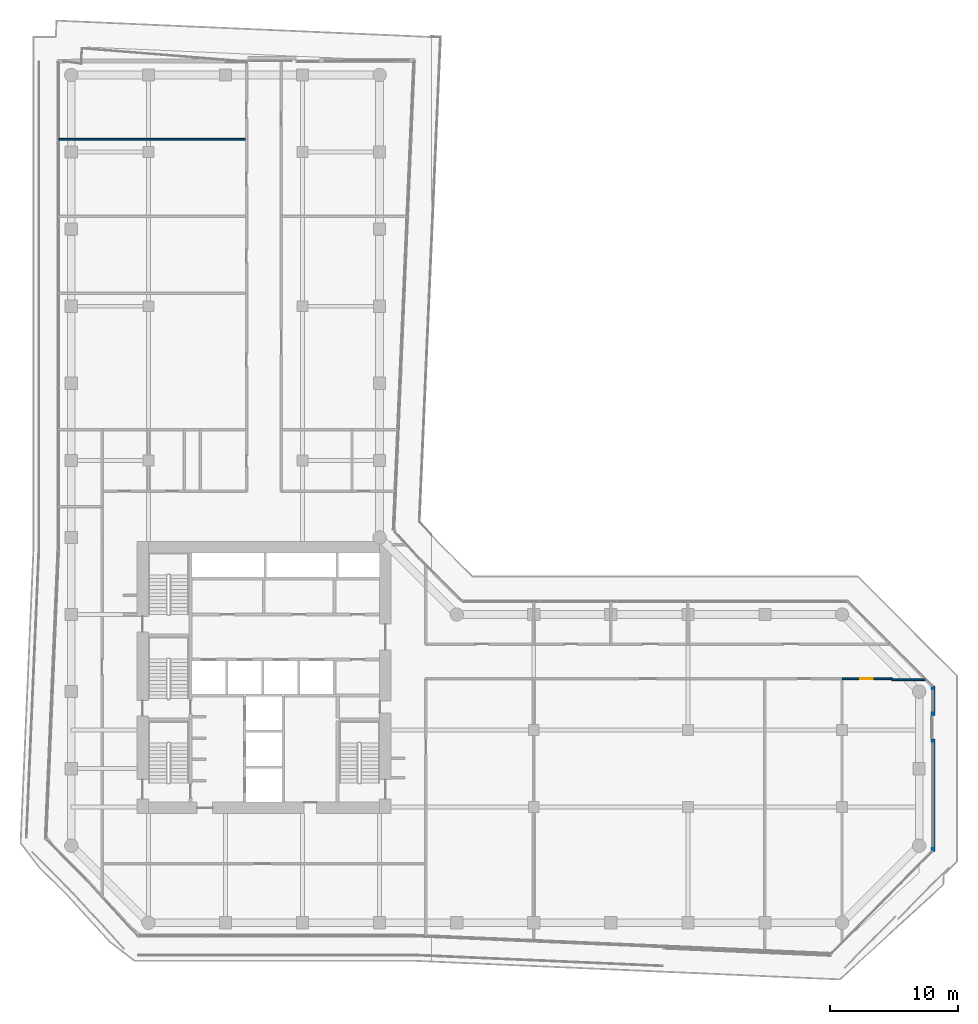
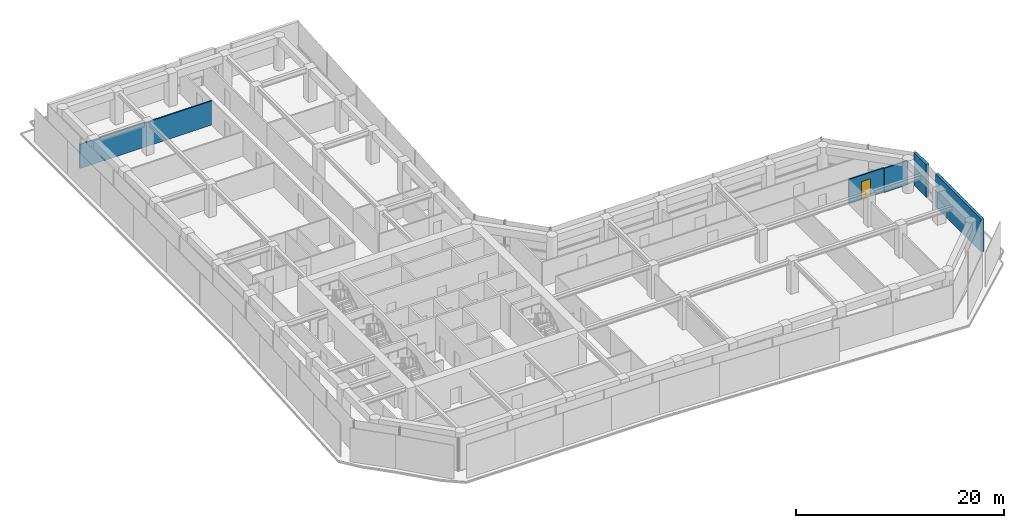
# One storey, part 26 of 29: 5 walls, 1 door, 1 opening.
"""IFC4 building model written with IfcOpenShell, lengths in metres."""

from ifc_helpers import new_model, si_unit, direction, frame, frame_2d, origin, place, context, subcontext, project, spatial, rectangle, extrude, material, layer, layer_set, type_object, element, fill, save


model = new_model("IFC4")

# Units and contexts
model_context = context("Model", 3, precision=1e-05, world=origin(), true_north=direction((0.0, 1.0)))
body_context = subcontext(model_context, "Body", "Model", "MODEL_VIEW")
ifc_project = project(units=[si_unit("LENGTHUNIT", "METRE"), si_unit("AREAUNIT", "SQUARE_METRE"), si_unit("VOLUMEUNIT", "CUBIC_METRE"), si_unit("PLANEANGLEUNIT", "RADIAN"), si_unit("MASSUNIT", "GRAM", prefix="KILO")], contexts=[model_context])

# Site, building, storey
site_placement = place(None, origin())
site = spatial("IfcSite", under=ifc_project, at=site_placement, CompositionType="ELEMENT")
building_placement = place(site_placement, origin())
building = spatial("IfcBuilding", under=site, at=building_placement, Name="Welwitschia Terrace Campus", CompositionType="ELEMENT")
storey_placement = place(building_placement, frame((0.0, 0.0, 41.60009765625)))
storey = spatial("IfcBuildingStorey", under=building, at=storey_placement, Name="L09", CompositionType="ELEMENT", Elevation=41.60009765625)

# Walls
ifc_material_1 = material(Name="Gypsum board on steel studs", Category="steel")
ifc_layer_1 = layer(ifc_material_1, 0.14990234375)
ifc_layer_set_1 = layer_set([ifc_layer_1], Name="Gypsum board on steel studs")
wall_type_1 = type_object("IfcWallType", Name="Corridor partition 150 EI 30", PredefinedType="PARTITIONING", material=ifc_layer_set_1)
wall_1_placement = place(storey_placement, frame((-1.010009765625, 57.0, 0.0), z_axis=(0.0, 0.0, 1.0), x_axis=(1.0, 0.0, 0.0)))
element("IfcWall", 1, at=wall_1_placement, inside=storey, type_object=wall_type_1, Name="Partition", PredefinedType="PARTITIONING", context=body_context, shape_type="SweptSolid", body=[
    extrude(rectangle(XDim=14.659912109375, YDim=0.14990234375, at=frame_2d((7.330078125, 0.0))), origin(), (0.0, 0.0, 1.0), 2.829833984375),
])
wall_2_placement = place(storey_placement, frame((63.8701171875, 14.919921875, 0.0), z_axis=(0.0, 0.0, 1.0), x_axis=(1.0, 0.0, 0.0)))
element("IfcWall", 2, at=wall_2_placement, inside=storey, type_object=wall_type_1, Name="Partition", PredefinedType="PARTITIONING", context=body_context, shape_type="SweptSolid", body=[
    extrude(rectangle(XDim=2.621337890625, YDim=0.14990234375, at=frame_2d((1.310546875, 0.0))), origin(), (0.0, 0.0, 1.0), 2.829833984375),
])

# Wall, opening, door
wall_3_placement = place(storey_placement, frame((63.89990234375, 15.0, 0.0), z_axis=(0.0, 0.0, 1.0), x_axis=(-1.0, 0.0, 0.0)))
wall_3 = element("IfcWall", 3, at=wall_3_placement, inside=storey, type_object=wall_type_1, Name="Partition", PredefinedType="PARTITIONING", context=body_context, shape_type="SweptSolid", body=[
    extrude(rectangle(XDim=3.89990234375, YDim=0.14990234375, at=frame_2d((1.949951171875, 0.0))), origin(), (0.0, 0.0, 1.0), 2.829833984375),
])
opening_placement = place(wall_3_placement, frame((1.5, 0.0, 0.0)))
opening = element("IfcOpeningElement", 4, at=opening_placement, cuts=wall_3, Name="Opening DI10", PredefinedType="OPENING", context=body_context, shape_type="SweptSolid", body=[
    extrude(rectangle(XDim=1.0, YDim=2.10009765625, at=frame_2d((0.5, 1.050048828125))), frame((0.0, 0.0849609375, 0.0), z_axis=(0.0, -1.0, 0.0), x_axis=(1.0, 0.0, 0.0)), (0.0, 0.0, 1.0), 0.169921875),
])
ifc_material_2 = material(Name="Timber veneered door", Category="wood")
door_type = type_object("IfcDoorType", Name="Interior door DI10", OperationType="NOTDEFINED", PredefinedType="DOOR", material=ifc_material_2)
door_placement = place(opening_placement, origin())
door = element("IfcDoor", 5, at=door_placement, inside=storey, type_object=door_type, Name="Door L09 228", OperationType="SINGLE_SWING_LEFT", OverallHeight=2.10009765625, OverallWidth=1.0, PredefinedType="DOOR", context=body_context, shape_type="SweptSolid", body=[
    extrude(rectangle(XDim=1.0, YDim=2.10009765625, at=frame_2d((0.5, 1.050048828125))), frame((0.0, 0.02490234375, 0.0), z_axis=(0.0, -1.0, 0.0), x_axis=(1.0, 0.0, 0.0)), (0.0, 0.0, 1.0), 0.050048828125),
])
fill(opening, door)

# Walls
ifc_material_3 = material(Name="Concrete C40/50", Category="concrete")
ifc_layer_2 = layer(ifc_material_3, 0.300048828125)
ifc_layer_set_2 = layer_set([ifc_layer_2], Name="Concrete C40/50")
wall_type_2 = type_object("IfcWallType", Name="Mass wall 300", PredefinedType="SOLIDWALL", material=ifc_layer_set_2)
wall_4_placement = place(storey_placement, frame((67.078857421875, 1.561767578125, 0.0), z_axis=(0.0, 0.0, 1.0), x_axis=(0.0, 1.0, 0.0)))
element("IfcWall", 6, at=wall_4_placement, inside=storey, type_object=wall_type_2, Name="Mass wall L09.6.0", PredefinedType="SOLIDWALL", context=body_context, shape_type="SweptSolid", body=[
    extrude(rectangle(XDim=8.75732421875, YDim=0.300048828125, at=frame_2d((4.378662109375, 0.0))), origin(), (0.0, 0.0, 1.0), 3.849853515625),
])
wall_5_placement = place(storey_placement, frame((67.078857421875, 12.119140625, 0.0), z_axis=(0.0, 0.0, 1.0), x_axis=(0.0, 1.0, 0.0)))
element("IfcWall", 7, at=wall_5_placement, inside=storey, type_object=wall_type_2, Name="Mass wall L09.6.1", PredefinedType="SOLIDWALL", context=body_context, shape_type="SweptSolid", body=[
    extrude(rectangle(XDim=2.319091796875, YDim=0.300048828125, at=frame_2d((1.15966796875, 0.0))), origin(), (0.0, 0.0, 1.0), 3.849853515625),
])

save(model, "model.ifc")
